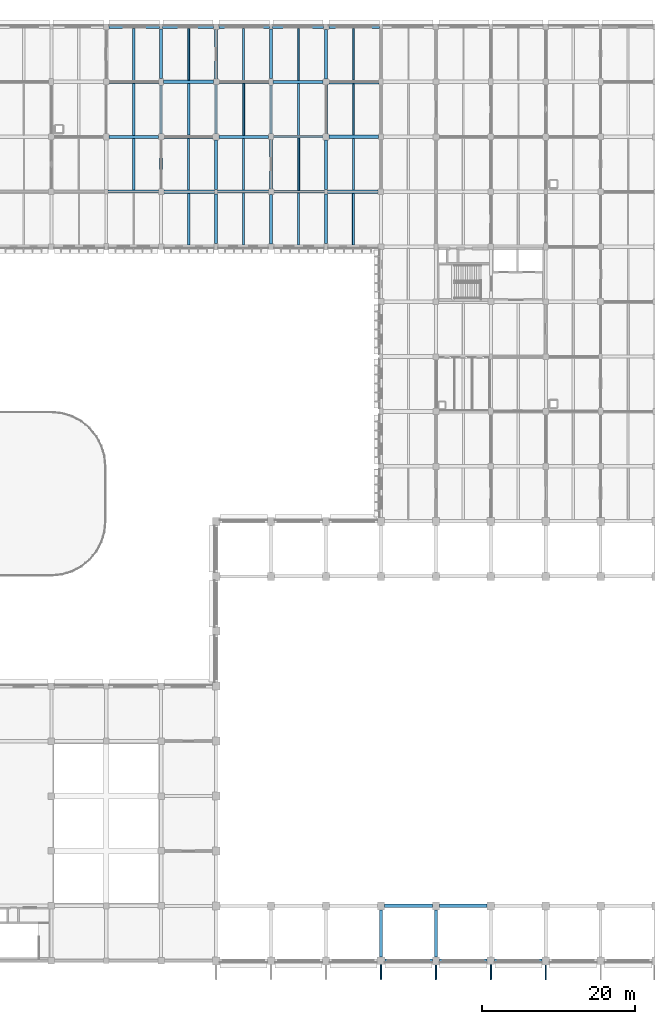
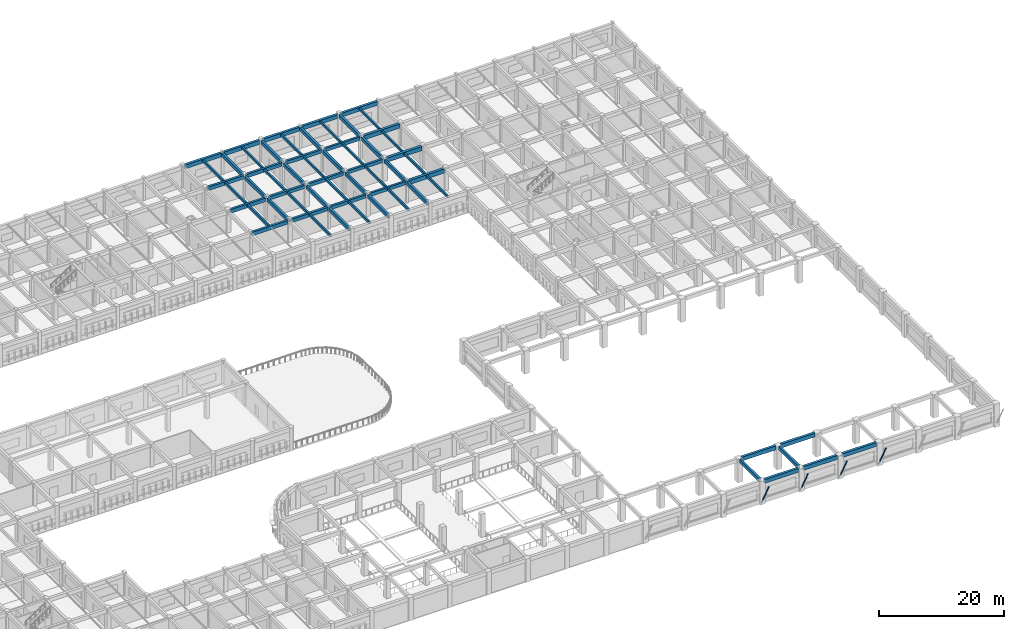
# One storey, part 10 of 61: 61 beams, 4 members.
"""IFC4 building model written with IfcOpenShell, lengths in metres."""

from ifc_helpers import new_model, si_unit, direction, frame, origin, origin_2d, place, context, subcontext, project, spatial, rectangle, hollow_circle, extrude, material, material_profile, profile_set, type_object, element, save


model = new_model("IFC4")

# Units and contexts
model_context = context("Model", 3, precision=1e-05, world=origin(), true_north=direction((0.0, 1.0)))
body_context = subcontext(model_context, "Body", "Model", "MODEL_VIEW")
ifc_project = project(units=[si_unit("LENGTHUNIT", "METRE"), si_unit("AREAUNIT", "SQUARE_METRE"), si_unit("VOLUMEUNIT", "CUBIC_METRE"), si_unit("PLANEANGLEUNIT", "RADIAN"), si_unit("MASSUNIT", "GRAM", prefix="KILO")], contexts=[model_context])

# Site, building, storey
site_placement = place(None, origin())
site = spatial("IfcSite", under=ifc_project, at=site_placement, CompositionType="ELEMENT")
building_placement = place(site_placement, origin())
building = spatial("IfcBuilding", under=site, at=building_placement, Name="Thalmaran Polytechnic", CompositionType="ELEMENT")
storey_placement = place(building_placement, frame((0.0, 0.0, 9.89990234375)))
storey = spatial("IfcBuildingStorey", under=building, at=storey_placement, Name="L02", CompositionType="ELEMENT", Elevation=9.89990234375)

# Beams
ifc_material_1 = material(Name="Concrete C40/50", Category="concrete")
ifc_material_profile_1 = material_profile(ifc_material_1, rectangle(XDim=0.5, YDim=0.800048828125, at=origin_2d()), Name="RC 500x800")
ifc_profile_set_1 = profile_set([ifc_material_profile_1], Name="Concrete C40/50")
beam_type_1 = type_object("IfcBeamType", Name="BM-RC02", PredefinedType="BEAM", material=ifc_profile_set_1)
beam_1_placement = place(storey_placement, frame((122.60009765625, 100.800048828125, 3.815185546875), z_axis=(1.0, 0.0, 0.0), x_axis=(0.0, 1.0, 0.0)))
element("IfcBeam", 1, at=beam_1_placement, inside=storey, type_object=beam_type_1, Name="Grid Beam B02 L02 X(17,14)", PredefinedType="BEAM", context=body_context, shape_type="SweptSolid", body=[
    extrude(rectangle(XDim=0.5, YDim=0.800048828125, at=origin_2d()), origin(), (0.0, 0.0, 1.0), 6.639892578125),
])
beam_2_placement = place(storey_placement, frame((122.7900390625, 108.0, 3.815185546875), z_axis=(1.0, 0.0, 0.0), x_axis=(0.0, 1.0, 0.0)))
element("IfcBeam", 2, at=beam_2_placement, inside=storey, type_object=beam_type_1, Name="Grid Beam B02 L02 X(17,15)", PredefinedType="BEAM", context=body_context, shape_type="SweptSolid", body=[
    extrude(rectangle(XDim=0.5, YDim=0.800048828125, at=origin_2d()), origin(), (0.0, 0.0, 1.0), 6.4599609375),
])
beam_3_placement = place(storey_placement, frame((122.77490234375, 115.199951171875, 3.815185546875), z_axis=(1.0, 0.0, 0.0), x_axis=(0.0, 1.0, 0.0)))
element("IfcBeam", 3, at=beam_3_placement, inside=storey, type_object=beam_type_1, Name="Grid Beam B02 L02 X(17,16)", PredefinedType="BEAM", context=body_context, shape_type="SweptSolid", body=[
    extrude(rectangle(XDim=0.5, YDim=0.800048828125, at=origin_2d()), origin(), (0.0, 0.0, 1.0), 6.550048828125),
])
ifc_material_profile_2 = material_profile(ifc_material_1, rectangle(XDim=0.39990234375, YDim=0.699951171875, at=origin_2d()), Name="RC 400x700")
ifc_profile_set_2 = profile_set([ifc_material_profile_2], Name="Concrete C40/50")
beam_type_2 = type_object("IfcBeamType", Name="BM-RC05", PredefinedType="BEAM", material=ifc_profile_set_2)
beam_4_placement = place(storey_placement, frame((93.800048828125, 100.800048828125, 3.875), z_axis=(1.0, 0.0, 0.0), x_axis=(0.0, 1.0, 0.0)))
element("IfcBeam", 4, at=beam_4_placement, inside=storey, type_object=beam_type_2, Name="Grid Beam B05 L02 X(13,14)", PredefinedType="BEAM", context=body_context, shape_type="SweptSolid", body=[
    extrude(rectangle(XDim=0.39990234375, YDim=0.699951171875, at=origin_2d()), origin(), (0.0, 0.0, 1.0), 6.639892578125),
])
beam_5_placement = place(storey_placement, frame((93.989990234375, 108.0, 3.875), z_axis=(1.0, 0.0, 0.0), x_axis=(0.0, 1.0, 0.0)))
element("IfcBeam", 5, at=beam_5_placement, inside=storey, type_object=beam_type_2, Name="Grid Beam B05 L02 X(13,15)", PredefinedType="BEAM", context=body_context, shape_type="SweptSolid", body=[
    extrude(rectangle(XDim=0.39990234375, YDim=0.699951171875, at=origin_2d()), origin(), (0.0, 0.0, 1.0), 6.4599609375),
])
beam_6_placement = place(storey_placement, frame((93.97509765625, 115.199951171875, 3.875), z_axis=(1.0, 0.0, 0.0), x_axis=(0.0, 1.0, 0.0)))
element("IfcBeam", 6, at=beam_6_placement, inside=storey, type_object=beam_type_2, Name="Grid Beam B05 L02 X(13,16)", PredefinedType="BEAM", context=body_context, shape_type="SweptSolid", body=[
    extrude(rectangle(XDim=0.39990234375, YDim=0.699951171875, at=origin_2d()), origin(), (0.0, 0.0, 1.0), 6.5498046875),
])
ifc_material_profile_3 = material_profile(ifc_material_1, rectangle(XDim=0.39990234375, YDim=0.64990234375, at=origin_2d()), Name="RC 400x650")
ifc_profile_set_3 = profile_set([ifc_material_profile_3], Name="Concrete C40/50")
beam_type_3 = type_object("IfcBeamType", Name="BM-RC06", PredefinedType="BEAM", material=ifc_profile_set_3)
beam_7_placement = place(storey_placement, frame((108.199951171875, 100.800048828125, 3.900146484375), z_axis=(1.0, 0.0, 0.0), x_axis=(0.0, 1.0, 0.0)))
element("IfcBeam", 7, at=beam_7_placement, inside=storey, type_object=beam_type_3, Name="Grid Beam B06 L02 X(15,14)", PredefinedType="BEAM", context=body_context, shape_type="SweptSolid", body=[
    extrude(rectangle(XDim=0.39990234375, YDim=0.64990234375, at=origin_2d()), origin(), (0.0, 0.0, 1.0), 6.64013671875),
])
beam_8_placement = place(storey_placement, frame((108.389892578125, 108.0, 3.900146484375), z_axis=(1.0, 0.0, 0.0), x_axis=(0.0, 1.0, 0.0)))
element("IfcBeam", 8, at=beam_8_placement, inside=storey, type_object=beam_type_3, Name="Grid Beam B06 L02 X(15,15)", PredefinedType="BEAM", context=body_context, shape_type="SweptSolid", body=[
    extrude(rectangle(XDim=0.39990234375, YDim=0.64990234375, at=origin_2d()), origin(), (0.0, 0.0, 1.0), 6.460205078125),
])
beam_9_placement = place(storey_placement, frame((108.375, 115.199951171875, 3.900146484375), z_axis=(1.0, 0.0, 0.0), x_axis=(0.0, 1.0, 0.0)))
element("IfcBeam", 9, at=beam_9_placement, inside=storey, type_object=beam_type_3, Name="Grid Beam B06 L02 X(15,16)", PredefinedType="BEAM", context=body_context, shape_type="SweptSolid", body=[
    extrude(rectangle(XDim=0.39990234375, YDim=0.64990234375, at=origin_2d()), origin(), (0.0, 0.0, 1.0), 6.550048828125),
])
ifc_material_profile_4 = material_profile(ifc_material_1, rectangle(XDim=0.389892578125, YDim=0.68505859375, at=origin_2d()), Name="RC 390x685")
ifc_profile_set_4 = profile_set([ifc_material_profile_4], Name="Concrete C40/50")
beam_type_4 = type_object("IfcBeamType", Name="BM-RC08", PredefinedType="BEAM", material=ifc_profile_set_4)
beam_10_placement = place(storey_placement, frame((108.0, 94.02490234375, 3.882568359375), z_axis=(0.0, 1.0, 0.0), x_axis=(-1.0, 0.0, 0.0)))
element("IfcBeam", 10, at=beam_10_placement, inside=storey, type_object=beam_type_4, Name="Grid Beam B08 L02 Y(15,13)", PredefinedType="BEAM", context=body_context, shape_type="SweptSolid", body=[
    extrude(rectangle(XDim=0.389892578125, YDim=0.68505859375, at=origin_2d()), origin(), (0.0, 0.0, 1.0), 6.47509765625),
])
beam_11_placement = place(storey_placement, frame((115.199951171875, 93.97509765625, 3.87255859375), z_axis=(0.0, 1.0, 0.0), x_axis=(-1.0, 0.0, 0.0)))
element("IfcBeam", 11, at=beam_11_placement, inside=storey, type_object=beam_type_4, Name="Grid Beam B08 L02 Y(16,13)", PredefinedType="BEAM", context=body_context, shape_type="SweptSolid", body=[
    extrude(rectangle(XDim=0.389892578125, YDim=0.68505859375, at=origin_2d()), origin(), (0.0, 0.0, 1.0), 6.46484375),
])
beam_12_placement = place(storey_placement, frame((122.39990234375, 94.02490234375, 3.87255859375), z_axis=(0.0, 1.0, 0.0), x_axis=(-1.0, 0.0, 0.0)))
element("IfcBeam", 12, at=beam_12_placement, inside=storey, type_object=beam_type_4, Name="Grid Beam B08 L02 Y(17,13)", PredefinedType="BEAM", context=body_context, shape_type="SweptSolid", body=[
    extrude(rectangle(XDim=0.389892578125, YDim=0.68505859375, at=origin_2d()), origin(), (0.0, 0.0, 1.0), 6.47509765625),
])
ifc_material_profile_5 = material_profile(ifc_material_1, rectangle(XDim=0.389892578125, YDim=0.68994140625, at=origin_2d()), Name="RC 390x690")
ifc_profile_set_5 = profile_set([ifc_material_profile_5], Name="Concrete C40/50")
beam_type_5 = type_object("IfcBeamType", Name="BM-RC09", PredefinedType="BEAM", material=ifc_profile_set_5)
beam_13_placement = place(storey_placement, frame((100.800048828125, 108.35009765625, 3.880126953125), z_axis=(0.0, 1.0, 0.0), x_axis=(-1.0, 0.0, 0.0)))
element("IfcBeam", 13, at=beam_13_placement, inside=storey, type_object=beam_type_5, Name="Grid Beam B09 L02 Y(14,15)", PredefinedType="BEAM", context=body_context, shape_type="SweptSolid", body=[
    extrude(rectangle(XDim=0.389892578125, YDim=0.68994140625, at=origin_2d()), origin(), (0.0, 0.0, 1.0), 6.4248046875),
])
beam_14_placement = place(storey_placement, frame((108.0, 108.389892578125, 3.880126953125), z_axis=(0.0, 1.0, 0.0), x_axis=(-1.0, 0.0, 0.0)))
element("IfcBeam", 14, at=beam_14_placement, inside=storey, type_object=beam_type_5, Name="Grid Beam B09 L02 Y(15,15)", PredefinedType="BEAM", context=body_context, shape_type="SweptSolid", body=[
    extrude(rectangle(XDim=0.389892578125, YDim=0.68994140625, at=origin_2d()), origin(), (0.0, 0.0, 1.0), 6.43505859375),
])
beam_15_placement = place(storey_placement, frame((115.199951171875, 108.35009765625, 3.8701171875), z_axis=(0.0, 1.0, 0.0), x_axis=(-1.0, 0.0, 0.0)))
element("IfcBeam", 15, at=beam_15_placement, inside=storey, type_object=beam_type_5, Name="Grid Beam B09 L02 Y(16,15)", PredefinedType="BEAM", context=body_context, shape_type="SweptSolid", body=[
    extrude(rectangle(XDim=0.389892578125, YDim=0.68994140625, at=origin_2d()), origin(), (0.0, 0.0, 1.0), 6.4248046875),
])
beam_16_placement = place(storey_placement, frame((122.39990234375, 108.389892578125, 3.8701171875), z_axis=(0.0, 1.0, 0.0), x_axis=(-1.0, 0.0, 0.0)))
element("IfcBeam", 16, at=beam_16_placement, inside=storey, type_object=beam_type_5, Name="Grid Beam B09 L02 Y(17,15)", PredefinedType="BEAM", context=body_context, shape_type="SweptSolid", body=[
    extrude(rectangle(XDim=0.389892578125, YDim=0.68994140625, at=origin_2d()), origin(), (0.0, 0.0, 1.0), 6.43505859375),
])
ifc_material_profile_6 = material_profile(ifc_material_1, rectangle(XDim=0.300048828125, YDim=0.5, at=origin_2d()), Name="RC 300x500")
ifc_profile_set_6 = profile_set([ifc_material_profile_6], Name="Concrete C40/50")
beam_type_6 = type_object("IfcBeamType", Name="BM-RC11", PredefinedType="JOIST", material=ifc_profile_set_6)
beam_17_placement = place(storey_placement, frame((97.199951171875, 101.0, 3.97509765625), z_axis=(0.0, 1.0, 0.0), x_axis=(-1.0, 0.0, 0.0)))
element("IfcBeam", 17, at=beam_17_placement, inside=storey, type_object=beam_type_6, Name="Secondary Floor Rib RB01 L02 (13,14)", PredefinedType="JOIST", context=body_context, shape_type="SweptSolid", body=[
    extrude(rectangle(XDim=0.300048828125, YDim=0.5, at=origin_2d()), origin(), (0.0, 0.0, 1.0), 6.800048828125),
])
beam_18_placement = place(storey_placement, frame((104.39990234375, 93.824951171875, 3.97509765625), z_axis=(0.0, 1.0, 0.0), x_axis=(-1.0, 0.0, 0.0)))
element("IfcBeam", 18, at=beam_18_placement, inside=storey, type_object=beam_type_6, Name="Secondary Floor Rib RB01 L02 (14,13)", PredefinedType="JOIST", context=body_context, shape_type="SweptSolid", body=[
    extrude(rectangle(XDim=0.300048828125, YDim=0.5, at=origin_2d()), origin(), (0.0, 0.0, 1.0), 6.76513671875),
])
ifc_material_profile_7 = material_profile(ifc_material_1, rectangle(XDim=0.300048828125, YDim=0.449951171875, at=origin_2d()), Name="RC 300x450")
ifc_profile_set_7 = profile_set([ifc_material_profile_7], Name="Concrete C40/50")
beam_type_7 = type_object("IfcBeamType", Name="BM-RC12", PredefinedType="JOIST", material=ifc_profile_set_7)
beam_19_placement = place(storey_placement, frame((97.199951171875, 115.39990234375, 4.0), z_axis=(0.0, 1.0, 0.0), x_axis=(-1.0, 0.0, 0.0)))
element("IfcBeam", 19, at=beam_19_placement, inside=storey, type_object=beam_type_7, Name="Secondary Floor Rib RB02 L02 (13,16)", PredefinedType="JOIST", context=body_context, shape_type="SweptSolid", body=[
    extrude(rectangle(XDim=0.300048828125, YDim=0.449951171875, at=origin_2d()), origin(), (0.0, 0.0, 1.0), 6.775146484375),
])
beam_20_placement = place(storey_placement, frame((104.39990234375, 108.2099609375, 4.0), z_axis=(0.0, 1.0, 0.0), x_axis=(-1.0, 0.0, 0.0)))
element("IfcBeam", 20, at=beam_20_placement, inside=storey, type_object=beam_type_7, Name="Secondary Floor Rib RB02 L02 (14,15)", PredefinedType="JOIST", context=body_context, shape_type="SweptSolid", body=[
    extrude(rectangle(XDim=0.300048828125, YDim=0.449951171875, at=origin_2d()), origin(), (0.0, 0.0, 1.0), 6.780029296875),
])
beam_21_placement = place(storey_placement, frame((111.60009765625, 101.0, 4.0), z_axis=(0.0, 1.0, 0.0), x_axis=(-1.0, 0.0, 0.0)))
element("IfcBeam", 21, at=beam_21_placement, inside=storey, type_object=beam_type_7, Name="Secondary Floor Rib RB02 L02 (15,14)", PredefinedType="JOIST", context=body_context, shape_type="SweptSolid", body=[
    extrude(rectangle(XDim=0.300048828125, YDim=0.449951171875, at=origin_2d()), origin(), (0.0, 0.0, 1.0), 6.800048828125),
])
beam_22_placement = place(storey_placement, frame((118.800048828125, 93.824951171875, 3.989990234375), z_axis=(0.0, 1.0, 0.0), x_axis=(-1.0, 0.0, 0.0)))
element("IfcBeam", 22, at=beam_22_placement, inside=storey, type_object=beam_type_7, Name="Secondary Floor Rib RB02 L02 (16,13)", PredefinedType="JOIST", context=body_context, shape_type="SweptSolid", body=[
    extrude(rectangle(XDim=0.300048828125, YDim=0.449951171875, at=origin_2d()), origin(), (0.0, 0.0, 1.0), 6.78515625),
])
ifc_material_profile_8 = material_profile(ifc_material_1, rectangle(XDim=0.280029296875, YDim=0.449951171875, at=origin_2d()), Name="RC 280x450")
ifc_profile_set_8 = profile_set([ifc_material_profile_8], Name="Concrete C40/50")
beam_type_8 = type_object("IfcBeamType", Name="BM-RC13", PredefinedType="JOIST", material=ifc_profile_set_8)
beam_23_placement = place(storey_placement, frame((111.60009765625, 115.39990234375, 4.0), z_axis=(0.0, 1.0, 0.0), x_axis=(-1.0, 0.0, 0.0)))
element("IfcBeam", 23, at=beam_23_placement, inside=storey, type_object=beam_type_8, Name="Secondary Floor Rib RB03 L02 (15,16)", PredefinedType="JOIST", context=body_context, shape_type="SweptSolid", body=[
    extrude(rectangle(XDim=0.280029296875, YDim=0.449951171875, at=origin_2d()), origin(), (0.0, 0.0, 1.0), 6.775146484375),
])
beam_24_placement = place(storey_placement, frame((118.800048828125, 108.18994140625, 3.989990234375), z_axis=(0.0, 1.0, 0.0), x_axis=(-1.0, 0.0, 0.0)))
element("IfcBeam", 24, at=beam_24_placement, inside=storey, type_object=beam_type_8, Name="Secondary Floor Rib RB03 L02 (16,15)", PredefinedType="JOIST", context=body_context, shape_type="SweptSolid", body=[
    extrude(rectangle(XDim=0.280029296875, YDim=0.449951171875, at=origin_2d()), origin(), (0.0, 0.0, 1.0), 6.820068359375),
])
beam_25_placement = place(storey_placement, frame((126.0, 101.050048828125, 3.989990234375), z_axis=(0.0, 1.0, 0.0), x_axis=(-1.0, 0.0, 0.0)))
element("IfcBeam", 25, at=beam_25_placement, inside=storey, type_object=beam_type_8, Name="Secondary Floor Rib RB03 L02 (17,14)", PredefinedType="JOIST", context=body_context, shape_type="SweptSolid", body=[
    extrude(rectangle(XDim=0.280029296875, YDim=0.449951171875, at=origin_2d()), origin(), (0.0, 0.0, 1.0), 6.699951171875),
])
ifc_material_profile_9 = material_profile(ifc_material_1, rectangle(XDim=0.449951171875, YDim=0.7548828125, at=origin_2d()), Name="RC 450x755")
ifc_profile_set_9 = profile_set([ifc_material_profile_9], Name="Concrete C40/50")
beam_type_9 = type_object("IfcBeamType", Name="BM-SP02", PredefinedType="SPANDREL", material=ifc_profile_set_9)
beam_26_placement = place(storey_placement, frame((93.9599609375, 122.39990234375, 3.84765625), z_axis=(1.0, 0.0, 0.0), x_axis=(0.0, 1.0, 0.0)))
element("IfcBeam", 26, at=beam_26_placement, inside=storey, type_object=beam_type_9, Name="Grid Beam SP02 L02 X(13,17)", PredefinedType="SPANDREL", context=body_context, shape_type="SweptSolid", body=[
    extrude(rectangle(XDim=0.449951171875, YDim=0.7548828125, at=origin_2d()), origin(), (0.0, 0.0, 1.0), 6.64013671875),
])
for number, where, z_axis, x_axis, name in (
    (27, (101.0, 122.39990234375, 3.84765625), (1.0, 0.0, 0.0), (0.0, 1.0, 0.0), "Grid Beam SP02 L02 X(14,17)"),
    (28, (108.360107421875, 122.39990234375, 3.84765625), (1.0, 0.0, 0.0), (0.0, 1.0, 0.0), "Grid Beam SP02 L02 X(15,17)"),
):
    element("IfcBeam", number, at=place(storey_placement, frame(where, z_axis=z_axis, x_axis=x_axis)), inside=storey, type_object=beam_type_9, Name=name, PredefinedType="SPANDREL", context=body_context, shape_type="SweptSolid", body=[
        extrude(rectangle(XDim=0.449951171875, YDim=0.7548828125, at=origin_2d()), origin(), (0.0, 0.0, 1.0), 6.639892578125),
    ])
beam_27_placement = place(storey_placement, frame((115.39990234375, 122.39990234375, 3.837646484375), z_axis=(1.0, 0.0, 0.0), x_axis=(0.0, 1.0, 0.0)))
element("IfcBeam", 29, at=beam_27_placement, inside=storey, type_object=beam_type_9, Name="Grid Beam SP02 L02 X(16,17)", PredefinedType="SPANDREL", context=body_context, shape_type="SweptSolid", body=[
    extrude(rectangle(XDim=0.449951171875, YDim=0.7548828125, at=origin_2d()), origin(), (0.0, 0.0, 1.0), 6.64013671875),
])
beam_28_placement = place(storey_placement, frame((122.760009765625, 122.39990234375, 3.837646484375), z_axis=(1.0, 0.0, 0.0), x_axis=(0.0, 1.0, 0.0)))
element("IfcBeam", 30, at=beam_28_placement, inside=storey, type_object=beam_type_9, Name="Grid Beam SP02 L02 X(17,17)", PredefinedType="SPANDREL", context=body_context, shape_type="SweptSolid", body=[
    extrude(rectangle(XDim=0.449951171875, YDim=0.7548828125, at=origin_2d()), origin(), (0.0, 0.0, 1.0), 6.639892578125),
])
beam_29_placement = place(storey_placement, frame((130.10009765625, 0.0, 4.12255859375), z_axis=(1.0, 0.0, 0.0), x_axis=(0.0, 1.0, 0.0)))
element("IfcBeam", 31, at=beam_29_placement, inside=storey, type_object=beam_type_9, Name="Grid Beam SP02 L02 X(18,0)", PredefinedType="SPANDREL", context=body_context, shape_type="SweptSolid", body=[
    extrude(rectangle(XDim=0.449951171875, YDim=0.7548828125, at=origin_2d()), origin(), (0.0, 0.0, 1.0), 6.224853515625),
])
beam_30_placement = place(storey_placement, frame((130.074951171875, 7.199951171875, 4.12255859375), z_axis=(1.0, 0.0, 0.0), x_axis=(0.0, 1.0, 0.0)))
element("IfcBeam", 32, at=beam_30_placement, inside=storey, type_object=beam_type_9, Name="Grid Beam SP02 L02 X(18,1)", PredefinedType="SPANDREL", context=body_context, shape_type="SweptSolid", body=[
    extrude(rectangle(XDim=0.449951171875, YDim=0.7548828125, at=origin_2d()), origin(), (0.0, 0.0, 1.0), 6.25),
])
beam_31_placement = place(storey_placement, frame((137.27490234375, 0.0, 4.12255859375), z_axis=(1.0, 0.0, 0.0), x_axis=(0.0, 1.0, 0.0)))
element("IfcBeam", 33, at=beam_31_placement, inside=storey, type_object=beam_type_9, Name="Grid Beam SP02 L02 X(19,0)", PredefinedType="SPANDREL", context=body_context, shape_type="SweptSolid", body=[
    extrude(rectangle(XDim=0.449951171875, YDim=0.7548828125, at=origin_2d()), origin(), (0.0, 0.0, 1.0), 6.22509765625),
])
beam_32_placement = place(storey_placement, frame((137.27490234375, 7.199951171875, 4.12255859375), z_axis=(1.0, 0.0, 0.0), x_axis=(0.0, 1.0, 0.0)))
element("IfcBeam", 34, at=beam_32_placement, inside=storey, type_object=beam_type_9, Name="Grid Beam SP02 L02 X(19,1)", PredefinedType="SPANDREL", context=body_context, shape_type="SweptSolid", body=[
    extrude(rectangle(XDim=0.449951171875, YDim=0.7548828125, at=origin_2d()), origin(), (0.0, 0.0, 1.0), 6.25),
])
beam_33_placement = place(storey_placement, frame((144.5, 0.0, 4.12255859375), z_axis=(1.0, 0.0, 0.0), x_axis=(0.0, 1.0, 0.0)))
element("IfcBeam", 35, at=beam_33_placement, inside=storey, type_object=beam_type_9, Name="Grid Beam SP02 L02 X(20,0)", PredefinedType="SPANDREL", context=body_context, shape_type="SweptSolid", body=[
    extrude(rectangle(XDim=0.449951171875, YDim=0.7548828125, at=origin_2d()), origin(), (0.0, 0.0, 1.0), 6.22509765625),
])
ifc_material_profile_10 = material_profile(ifc_material_1, rectangle(XDim=0.419921875, YDim=0.659912109375, at=origin_2d()), Name="RC 420x660")
ifc_profile_set_10 = profile_set([ifc_material_profile_10], Name="Concrete C40/50")
beam_type_10 = type_object("IfcBeamType", Name="BM-ZB04", PredefinedType="BEAM", material=ifc_profile_set_10)
beam_34_placement = place(storey_placement, frame((101.159912109375, 100.800048828125, 3.89501953125), z_axis=(1.0, 0.0, 0.0), x_axis=(0.0, 1.0, 0.0)))
element("IfcBeam", 36, at=beam_34_placement, inside=storey, type_object=beam_type_10, Name="Grid Beam ZB04 L02 X(14,14)", PredefinedType="BEAM", context=body_context, shape_type="SweptSolid", body=[
    extrude(rectangle(XDim=0.419921875, YDim=0.659912109375, at=origin_2d()), origin(), (0.0, 0.0, 1.0), 6.64013671875),
])
beam_35_placement = place(storey_placement, frame((101.14990234375, 108.0, 3.89501953125), z_axis=(1.0, 0.0, 0.0), x_axis=(0.0, 1.0, 0.0)))
element("IfcBeam", 37, at=beam_35_placement, inside=storey, type_object=beam_type_10, Name="Grid Beam ZB04 L02 X(14,15)", PredefinedType="BEAM", context=body_context, shape_type="SweptSolid", body=[
    extrude(rectangle(XDim=0.419921875, YDim=0.659912109375, at=origin_2d()), origin(), (0.0, 0.0, 1.0), 6.460205078125),
])
beam_36_placement = place(storey_placement, frame((101.074951171875, 115.199951171875, 3.89501953125), z_axis=(1.0, 0.0, 0.0), x_axis=(0.0, 1.0, 0.0)))
element("IfcBeam", 38, at=beam_36_placement, inside=storey, type_object=beam_type_10, Name="Grid Beam ZB04 L02 X(14,16)", PredefinedType="BEAM", context=body_context, shape_type="SweptSolid", body=[
    extrude(rectangle(XDim=0.419921875, YDim=0.659912109375, at=origin_2d()), origin(), (0.0, 0.0, 1.0), 6.550048828125),
])
ifc_material_profile_11 = material_profile(ifc_material_1, rectangle(XDim=0.3798828125, YDim=0.639892578125, at=origin_2d()), Name="RC 380x640")
ifc_profile_set_11 = profile_set([ifc_material_profile_11], Name="Concrete C40/50")
beam_type_11 = type_object("IfcBeamType", Name="BM-ZB05", PredefinedType="BEAM", material=ifc_profile_set_11)
beam_37_placement = place(storey_placement, frame((115.56005859375, 100.800048828125, 3.89501953125), z_axis=(1.0, 0.0, 0.0), x_axis=(0.0, 1.0, 0.0)))
element("IfcBeam", 39, at=beam_37_placement, inside=storey, type_object=beam_type_11, Name="Grid Beam ZB05 L02 X(16,14)", PredefinedType="BEAM", context=body_context, shape_type="SweptSolid", body=[
    extrude(rectangle(XDim=0.3798828125, YDim=0.639892578125, at=origin_2d()), origin(), (0.0, 0.0, 1.0), 6.639892578125),
])
beam_38_placement = place(storey_placement, frame((115.550048828125, 108.0, 3.89501953125), z_axis=(1.0, 0.0, 0.0), x_axis=(0.0, 1.0, 0.0)))
element("IfcBeam", 40, at=beam_38_placement, inside=storey, type_object=beam_type_11, Name="Grid Beam ZB05 L02 X(16,15)", PredefinedType="BEAM", context=body_context, shape_type="SweptSolid", body=[
    extrude(rectangle(XDim=0.3798828125, YDim=0.639892578125, at=origin_2d()), origin(), (0.0, 0.0, 1.0), 6.4599609375),
])
beam_39_placement = place(storey_placement, frame((115.47509765625, 115.199951171875, 3.89501953125), z_axis=(1.0, 0.0, 0.0), x_axis=(0.0, 1.0, 0.0)))
element("IfcBeam", 41, at=beam_39_placement, inside=storey, type_object=beam_type_11, Name="Grid Beam ZB05 L02 X(16,16)", PredefinedType="BEAM", context=body_context, shape_type="SweptSolid", body=[
    extrude(rectangle(XDim=0.3798828125, YDim=0.639892578125, at=origin_2d()), origin(), (0.0, 0.0, 1.0), 6.5498046875),
])
ifc_material_profile_12 = material_profile(ifc_material_1, rectangle(XDim=0.39990234375, YDim=0.68505859375, at=origin_2d()), Name="RC 400x685")
ifc_profile_set_12 = profile_set([ifc_material_profile_12], Name="Concrete C40/50")
beam_type_12 = type_object("IfcBeamType", Name="BM-ZB07", PredefinedType="BEAM", material=ifc_profile_set_12)
beam_40_placement = place(storey_placement, frame((100.800048828125, 101.159912109375, 3.882568359375), z_axis=(0.0, 1.0, 0.0), x_axis=(-1.0, 0.0, 0.0)))
element("IfcBeam", 42, at=beam_40_placement, inside=storey, type_object=beam_type_12, Name="Grid Beam ZB07 L02 Y(14,14)", PredefinedType="BEAM", context=body_context, shape_type="SweptSolid", body=[
    extrude(rectangle(XDim=0.39990234375, YDim=0.68505859375, at=origin_2d()), origin(), (0.0, 0.0, 1.0), 6.489990234375),
])
beam_41_placement = place(storey_placement, frame((108.0, 101.10009765625, 3.882568359375), z_axis=(0.0, 1.0, 0.0), x_axis=(-1.0, 0.0, 0.0)))
element("IfcBeam", 43, at=beam_41_placement, inside=storey, type_object=beam_type_12, Name="Grid Beam ZB07 L02 Y(15,14)", PredefinedType="BEAM", context=body_context, shape_type="SweptSolid", body=[
    extrude(rectangle(XDim=0.39990234375, YDim=0.68505859375, at=origin_2d()), origin(), (0.0, 0.0, 1.0), 6.510009765625),
])
beam_42_placement = place(storey_placement, frame((115.199951171875, 101.159912109375, 3.87255859375), z_axis=(0.0, 1.0, 0.0), x_axis=(-1.0, 0.0, 0.0)))
element("IfcBeam", 44, at=beam_42_placement, inside=storey, type_object=beam_type_12, Name="Grid Beam ZB07 L02 Y(16,14)", PredefinedType="BEAM", context=body_context, shape_type="SweptSolid", body=[
    extrude(rectangle(XDim=0.39990234375, YDim=0.68505859375, at=origin_2d()), origin(), (0.0, 0.0, 1.0), 6.489990234375),
])
beam_43_placement = place(storey_placement, frame((122.39990234375, 101.10009765625, 3.87255859375), z_axis=(0.0, 1.0, 0.0), x_axis=(-1.0, 0.0, 0.0)))
element("IfcBeam", 45, at=beam_43_placement, inside=storey, type_object=beam_type_12, Name="Grid Beam ZB07 L02 Y(17,14)", PredefinedType="BEAM", context=body_context, shape_type="SweptSolid", body=[
    extrude(rectangle(XDim=0.39990234375, YDim=0.68505859375, at=origin_2d()), origin(), (0.0, 0.0, 1.0), 6.510009765625),
])
beam_44_placement = place(storey_placement, frame((129.60009765625, 0.5, 4.15771484375), z_axis=(0.0, 1.0, 0.0), x_axis=(-1.0, 0.0, 0.0)))
element("IfcBeam", 46, at=beam_44_placement, inside=storey, type_object=beam_type_12, Name="Grid Beam ZB07 L02 Y(18,0)", PredefinedType="BEAM", context=body_context, shape_type="SweptSolid", body=[
    extrude(rectangle(XDim=0.39990234375, YDim=0.68505859375, at=origin_2d()), origin(), (0.0, 0.0, 1.0), 6.175048828125),
])
beam_45_placement = place(storey_placement, frame((136.800048828125, 0.52490234375, 4.15771484375), z_axis=(0.0, 1.0, 0.0), x_axis=(-1.0, 0.0, 0.0)))
element("IfcBeam", 47, at=beam_45_placement, inside=storey, type_object=beam_type_12, Name="Grid Beam ZB07 L02 Y(19,0)", PredefinedType="BEAM", context=body_context, shape_type="SweptSolid", body=[
    extrude(rectangle(XDim=0.39990234375, YDim=0.68505859375, at=origin_2d()), origin(), (0.0, 0.0, 1.0), 6.150146484375),
])
ifc_material_profile_13 = material_profile(ifc_material_1, rectangle(XDim=0.39990234375, YDim=0.695068359375, at=origin_2d()), Name="RC 400x695")
ifc_profile_set_13 = profile_set([ifc_material_profile_13], Name="Concrete C40/50")
beam_type_13 = type_object("IfcBeamType", Name="BM-ZB08", PredefinedType="BEAM", material=ifc_profile_set_13)
beam_46_placement = place(storey_placement, frame((100.800048828125, 115.625, 3.877685546875), z_axis=(0.0, 1.0, 0.0), x_axis=(-1.0, 0.0, 0.0)))
element("IfcBeam", 48, at=beam_46_placement, inside=storey, type_object=beam_type_13, Name="Grid Beam ZB08 L02 Y(14,16)", PredefinedType="BEAM", context=body_context, shape_type="SweptSolid", body=[
    extrude(rectangle(XDim=0.39990234375, YDim=0.695068359375, at=origin_2d()), origin(), (0.0, 0.0, 1.0), 6.47509765625),
])
beam_47_placement = place(storey_placement, frame((108.0, 115.574951171875, 3.877685546875), z_axis=(0.0, 1.0, 0.0), x_axis=(-1.0, 0.0, 0.0)))
element("IfcBeam", 49, at=beam_47_placement, inside=storey, type_object=beam_type_13, Name="Grid Beam ZB08 L02 Y(15,16)", PredefinedType="BEAM", context=body_context, shape_type="SweptSolid", body=[
    extrude(rectangle(XDim=0.39990234375, YDim=0.695068359375, at=origin_2d()), origin(), (0.0, 0.0, 1.0), 6.465087890625),
])
beam_48_placement = place(storey_placement, frame((115.199951171875, 115.625, 3.86767578125), z_axis=(0.0, 1.0, 0.0), x_axis=(-1.0, 0.0, 0.0)))
element("IfcBeam", 50, at=beam_48_placement, inside=storey, type_object=beam_type_13, Name="Grid Beam ZB08 L02 Y(16,16)", PredefinedType="BEAM", context=body_context, shape_type="SweptSolid", body=[
    extrude(rectangle(XDim=0.39990234375, YDim=0.695068359375, at=origin_2d()), origin(), (0.0, 0.0, 1.0), 6.47509765625),
])
beam_49_placement = place(storey_placement, frame((122.39990234375, 115.574951171875, 3.86767578125), z_axis=(0.0, 1.0, 0.0), x_axis=(-1.0, 0.0, 0.0)))
element("IfcBeam", 51, at=beam_49_placement, inside=storey, type_object=beam_type_13, Name="Grid Beam ZB08 L02 Y(17,16)", PredefinedType="BEAM", context=body_context, shape_type="SweptSolid", body=[
    extrude(rectangle(XDim=0.39990234375, YDim=0.695068359375, at=origin_2d()), origin(), (0.0, 0.0, 1.0), 6.465087890625),
])
ifc_material_profile_14 = material_profile(ifc_material_1, rectangle(XDim=0.280029296875, YDim=0.47998046875, at=origin_2d()), Name="RC 280x480")
ifc_profile_set_14 = profile_set([ifc_material_profile_14], Name="Concrete C40/50")
beam_type_14 = type_object("IfcBeamType", Name="BM-ZJ01", PredefinedType="JOIST", material=ifc_profile_set_14)
beam_50_placement = place(storey_placement, frame((97.199951171875, 108.199951171875, 3.985107421875), z_axis=(0.0, 1.0, 0.0), x_axis=(-1.0, 0.0, 0.0)))
element("IfcBeam", 52, at=beam_50_placement, inside=storey, type_object=beam_type_14, Name="Secondary Floor Rib ZJ01 L02 (13,15)", PredefinedType="JOIST", context=body_context, shape_type="SweptSolid", body=[
    extrude(rectangle(XDim=0.280029296875, YDim=0.47998046875, at=origin_2d()), origin(), (0.0, 0.0, 1.0), 6.800048828125),
])
beam_51_placement = place(storey_placement, frame((104.39990234375, 101.010009765625, 3.985107421875), z_axis=(0.0, 1.0, 0.0), x_axis=(-1.0, 0.0, 0.0)))
element("IfcBeam", 53, at=beam_51_placement, inside=storey, type_object=beam_type_14, Name="Secondary Floor Rib ZJ01 L02 (14,14)", PredefinedType="JOIST", context=body_context, shape_type="SweptSolid", body=[
    extrude(rectangle(XDim=0.280029296875, YDim=0.47998046875, at=origin_2d()), origin(), (0.0, 0.0, 1.0), 6.780029296875),
])
beam_52_placement = place(storey_placement, frame((111.60009765625, 93.824951171875, 3.985107421875), z_axis=(0.0, 1.0, 0.0), x_axis=(-1.0, 0.0, 0.0)))
element("IfcBeam", 54, at=beam_52_placement, inside=storey, type_object=beam_type_14, Name="Secondary Floor Rib ZJ01 L02 (15,13)", PredefinedType="JOIST", context=body_context, shape_type="SweptSolid", body=[
    extrude(rectangle(XDim=0.280029296875, YDim=0.47998046875, at=origin_2d()), origin(), (0.0, 0.0, 1.0), 6.775146484375),
])
ifc_material_profile_15 = material_profile(ifc_material_1, rectangle(XDim=0.260009765625, YDim=0.43994140625, at=origin_2d()), Name="RC 260x440")
ifc_profile_set_15 = profile_set([ifc_material_profile_15], Name="Concrete C40/50")
beam_type_15 = type_object("IfcBeamType", Name="BM-ZJ02", PredefinedType="JOIST", material=ifc_profile_set_15)
beam_53_placement = place(storey_placement, frame((104.39990234375, 115.409912109375, 4.005126953125), z_axis=(0.0, 1.0, 0.0), x_axis=(-1.0, 0.0, 0.0)))
element("IfcBeam", 55, at=beam_53_placement, inside=storey, type_object=beam_type_15, Name="Secondary Floor Rib ZJ02 L02 (14,16)", PredefinedType="JOIST", context=body_context, shape_type="SweptSolid", body=[
    extrude(rectangle(XDim=0.260009765625, YDim=0.43994140625, at=origin_2d()), origin(), (0.0, 0.0, 1.0), 6.76513671875),
])
beam_54_placement = place(storey_placement, frame((111.60009765625, 108.199951171875, 4.005126953125), z_axis=(0.0, 1.0, 0.0), x_axis=(-1.0, 0.0, 0.0)))
element("IfcBeam", 56, at=beam_54_placement, inside=storey, type_object=beam_type_15, Name="Secondary Floor Rib ZJ02 L02 (15,15)", PredefinedType="JOIST", context=body_context, shape_type="SweptSolid", body=[
    extrude(rectangle(XDim=0.260009765625, YDim=0.43994140625, at=origin_2d()), origin(), (0.0, 0.0, 1.0), 6.800048828125),
])
beam_55_placement = place(storey_placement, frame((118.800048828125, 100.989990234375, 3.9951171875), z_axis=(0.0, 1.0, 0.0), x_axis=(-1.0, 0.0, 0.0)))
element("IfcBeam", 57, at=beam_55_placement, inside=storey, type_object=beam_type_15, Name="Secondary Floor Rib ZJ02 L02 (16,14)", PredefinedType="JOIST", context=body_context, shape_type="SweptSolid", body=[
    extrude(rectangle(XDim=0.260009765625, YDim=0.43994140625, at=origin_2d()), origin(), (0.0, 0.0, 1.0), 6.820068359375),
])
beam_56_placement = place(storey_placement, frame((126.0, 93.824951171875, 3.9951171875), z_axis=(0.0, 1.0, 0.0), x_axis=(-1.0, 0.0, 0.0)))
element("IfcBeam", 58, at=beam_56_placement, inside=storey, type_object=beam_type_15, Name="Secondary Floor Rib ZJ02 L02 (17,13)", PredefinedType="JOIST", context=body_context, shape_type="SweptSolid", body=[
    extrude(rectangle(XDim=0.260009765625, YDim=0.43994140625, at=origin_2d()), origin(), (0.0, 0.0, 1.0), 6.72509765625),
])
ifc_material_profile_16 = material_profile(ifc_material_1, rectangle(XDim=0.25, YDim=0.419921875, at=origin_2d()), Name="RC 250x420")
ifc_profile_set_16 = profile_set([ifc_material_profile_16], Name="Concrete C40/50")
beam_type_16 = type_object("IfcBeamType", Name="BM-ZJ03", PredefinedType="JOIST", material=ifc_profile_set_16)
beam_57_placement = place(storey_placement, frame((118.800048828125, 115.389892578125, 4.005126953125), z_axis=(0.0, 1.0, 0.0), x_axis=(-1.0, 0.0, 0.0)))
element("IfcBeam", 59, at=beam_57_placement, inside=storey, type_object=beam_type_16, Name="Secondary Floor Rib ZJ03 L02 (16,16)", PredefinedType="JOIST", context=body_context, shape_type="SweptSolid", body=[
    extrude(rectangle(XDim=0.25, YDim=0.419921875, at=origin_2d()), origin(), (0.0, 0.0, 1.0), 6.78515625),
])
beam_58_placement = place(storey_placement, frame((126.0, 108.25, 4.005126953125), z_axis=(0.0, 1.0, 0.0), x_axis=(-1.0, 0.0, 0.0)))
element("IfcBeam", 60, at=beam_58_placement, inside=storey, type_object=beam_type_16, Name="Secondary Floor Rib ZJ03 L02 (17,15)", PredefinedType="JOIST", context=body_context, shape_type="SweptSolid", body=[
    extrude(rectangle(XDim=0.25, YDim=0.419921875, at=origin_2d()), origin(), (0.0, 0.0, 1.0), 6.699951171875),
])
ifc_material_profile_17 = material_profile(ifc_material_1, rectangle(XDim=0.239990234375, YDim=0.39990234375, at=origin_2d()), Name="RC 240x400")
ifc_profile_set_17 = profile_set([ifc_material_profile_17], Name="Concrete C40/50")
beam_type_17 = type_object("IfcBeamType", Name="BM-ZJ04", PredefinedType="JOIST", material=ifc_profile_set_17)
beam_59_placement = place(storey_placement, frame((126.0, 115.449951171875, 4.01513671875), z_axis=(0.0, 1.0, 0.0), x_axis=(-1.0, 0.0, 0.0)))
element("IfcBeam", 61, at=beam_59_placement, inside=storey, type_object=beam_type_17, Name="Secondary Floor Rib ZJ04 L02 (17,16)", PredefinedType="JOIST", context=body_context, shape_type="SweptSolid", body=[
    extrude(rectangle(XDim=0.239990234375, YDim=0.39990234375, at=origin_2d()), origin(), (0.0, 0.0, 1.0), 6.72509765625),
])

# Members
ifc_material_2 = material(Name="Steel S355", Category="steel")
ifc_material_profile_18 = material_profile(ifc_material_2, hollow_circle(Radius=0.122314453125, WallThickness=0.010009765625, at=origin_2d()), Name="CHS 244.5x10.0")
ifc_profile_set_18 = profile_set([ifc_material_profile_18], Name="Steel S355")
member_type = type_object("IfcMemberType", Name="MB-SFC1", PredefinedType="CHORD", material=ifc_profile_set_18)
for number, where, z_axis, x_axis, name in (
    (62, (129.60009765625, 0.0, 0.0), (0.0, -0.465395164589, 0.885103011393), (1.0, 0.0, 0.0), "South Boulevard Space-Frame Tree Strut 4"),
    (63, (136.800048828125, 0.0, 0.0), (0.0, -0.465395164589, 0.885103011393), (1.0, 0.0, 0.0), "South Boulevard Space-Frame Tree Strut 5"),
    (64, (144.0, 0.0, 0.0), (0.0, -0.465395164589, 0.885103011393), (1.0, 0.0, 0.0), "South Boulevard Space-Frame Tree Strut 6"),
    (65, (151.199951171875, 0.0, 0.0), (0.0, -0.465395164589, 0.885103011393), (1.0, 0.0, 0.0), "South Boulevard Space-Frame Tree Strut 7"),
):
    element("IfcMember", number, at=place(storey_placement, frame(where, z_axis=z_axis, x_axis=x_axis)), inside=storey, type_object=member_type, Name=name, PredefinedType="CHORD", context=body_context, shape_type="SweptSolid", body=[
        extrude(hollow_circle(Radius=0.122314453125, WallThickness=0.010009765625, at=origin_2d()), origin(), (0.0, 0.0, 1.0), 5.15673828125),
    ])

save(model, "model.ifc")
